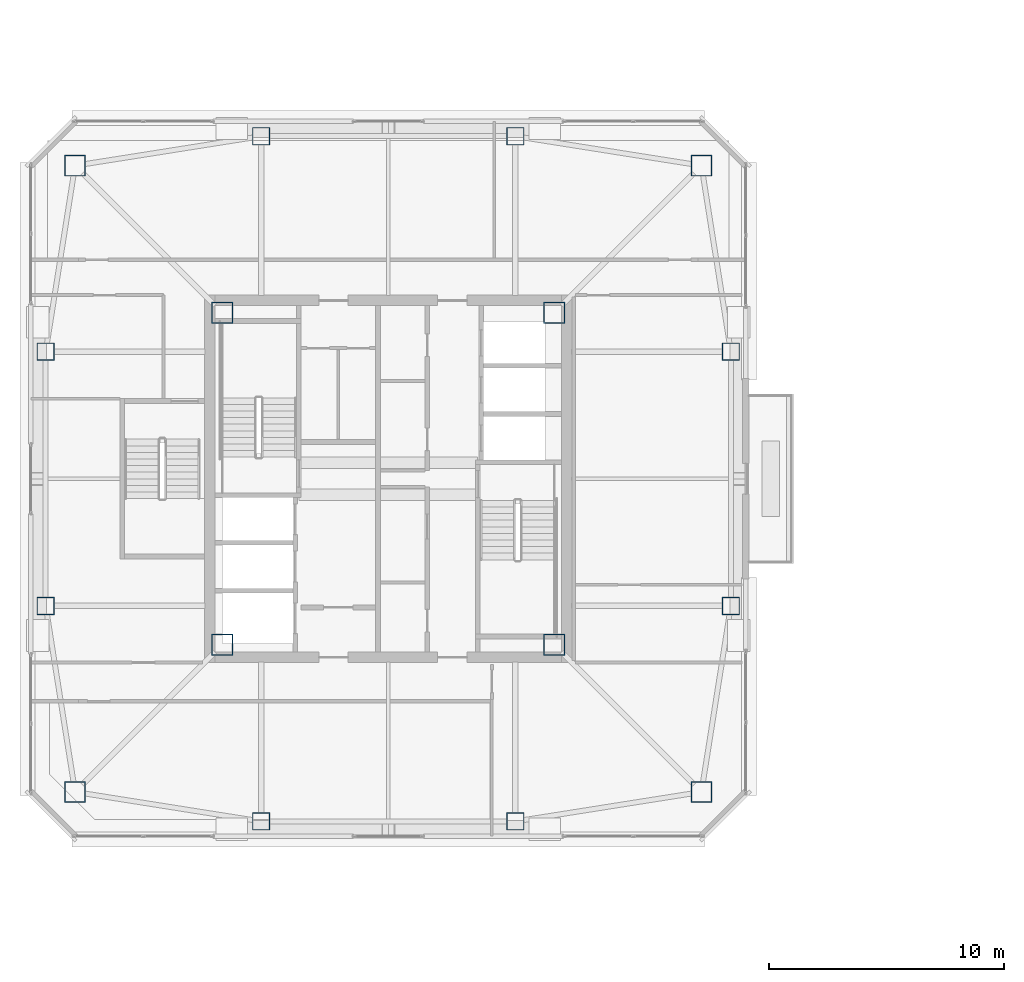
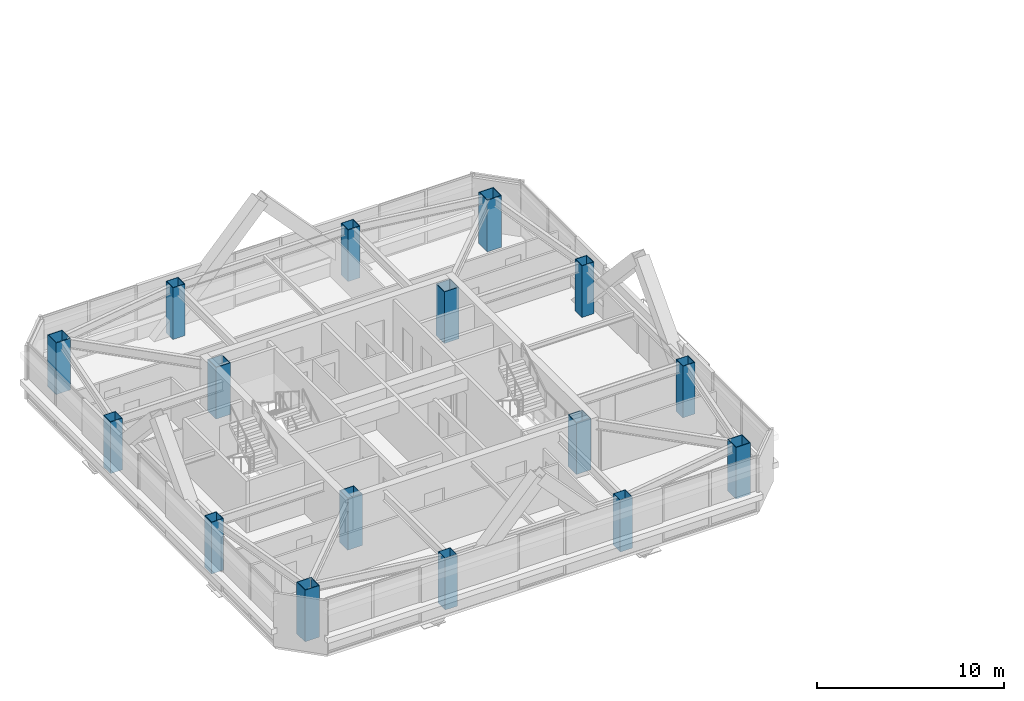
# One storey, part 1 of 24: 16 columns.
"""IFC4 building model written with IfcOpenShell, lengths in metres."""

from ifc_helpers import new_model, si_unit, direction, frame, origin, origin_2d, place, context, subcontext, project, spatial, hollow_rectangle, extrude, material, material_profile, profile_set, type_object, element, save


model = new_model("IFC4")

# Units and contexts
model_context = context("Model", 3, precision=1e-05, world=origin(), true_north=direction((0.0, 1.0)))
body_context = subcontext(model_context, "Body", "Model", "MODEL_VIEW")
ifc_project = project(units=[si_unit("LENGTHUNIT", "METRE"), si_unit("AREAUNIT", "SQUARE_METRE"), si_unit("VOLUMEUNIT", "CUBIC_METRE"), si_unit("PLANEANGLEUNIT", "RADIAN"), si_unit("MASSUNIT", "GRAM", prefix="KILO")], contexts=[model_context])

# Site, building, storey
site_placement = place(None, origin())
site = spatial("IfcSite", under=ifc_project, at=site_placement, CompositionType="ELEMENT")
building_placement = place(site_placement, origin())
building = spatial("IfcBuilding", under=site, at=building_placement, Name="Tashvorn Skyway Center", CompositionType="ELEMENT")
storey_placement = place(building_placement, frame((0.0, 0.0, 270.5)))
storey = spatial("IfcBuildingStorey", under=building, at=storey_placement, Name="L73", CompositionType="ELEMENT", Elevation=270.5)

# Columns
ifc_material = material(Name="Steel ASTM A572 Grade 50", Category="steel")
ifc_material_profile_1 = material_profile(ifc_material, hollow_rectangle(XDim=0.75, YDim=0.75, WallThickness=0.031982421875, at=origin_2d()), Name="BOX750x750x32")
ifc_profile_set_1 = profile_set([ifc_material_profile_1], Name="Steel ASTM A572 Grade 50")
column_type_1 = type_object("IfcColumnType", Name="COL-BOX750x750x32", PredefinedType="COLUMN", material=ifc_profile_set_1)
for number, where, z_axis, x_axis, name in (
    (1, (36.60009765625, 17.449951171875, 0.0), (0.0, 0.0, 1.0), (1.0, 0.0, 0.0), "Tower 1 L73 Perimeter Column FC-S1"),
    (2, (47.39990234375, 17.449951171875, 0.0), (0.0, 0.0, 1.0), (1.0, 0.0, 0.0), "Tower 1 L73 Perimeter Column FC-S2"),
    (3, (56.550048828125, 26.60009765625, 0.0), (0.0, 0.0, 1.0), (1.0, 0.0, 0.0), "Tower 1 L73 Perimeter Column FC-E1"),
    (4, (56.550048828125, 37.39990234375, 0.0), (0.0, 0.0, 1.0), (1.0, 0.0, 0.0), "Tower 1 L73 Perimeter Column FC-E2"),
    (5, (47.39990234375, 46.550048828125, 0.0), (0.0, 0.0, 1.0), (1.0, 0.0, 0.0), "Tower 1 L73 Perimeter Column FC-N1"),
    (6, (36.60009765625, 46.550048828125, 0.0), (0.0, 0.0, 1.0), (1.0, 0.0, 0.0), "Tower 1 L73 Perimeter Column FC-N2"),
    (7, (27.449951171875, 37.39990234375, 0.0), (0.0, 0.0, 1.0), (1.0, 0.0, 0.0), "Tower 1 L73 Perimeter Column FC-W1"),
    (8, (27.449951171875, 26.60009765625, 0.0), (0.0, 0.0, 1.0), (1.0, 0.0, 0.0), "Tower 1 L73 Perimeter Column FC-W2"),
):
    element("IfcColumn", number, at=place(storey_placement, frame(where, z_axis=z_axis, x_axis=x_axis)), inside=storey, type_object=column_type_1, Name=name, PredefinedType="COLUMN", context=body_context, shape_type="SweptSolid", body=[
        extrude(hollow_rectangle(XDim=0.75, YDim=0.75, WallThickness=0.031982421875, at=origin_2d()), origin(), (0.0, 0.0, 1.0), 3.3701171875),
    ])
ifc_material_profile_2 = material_profile(ifc_material, hollow_rectangle(XDim=0.89990234375, YDim=0.89990234375, WallThickness=0.0400390625, at=origin_2d()), Name="BOX900x900x40")
ifc_profile_set_2 = profile_set([ifc_material_profile_2], Name="Steel ASTM A572 Grade 50")
column_type_2 = type_object("IfcColumnType", Name="COL-BOX900x900x40", PredefinedType="COLUMN", material=ifc_profile_set_2)
for number, where, z_axis, x_axis, name in (
    (9, (34.949951171875, 24.949951171875, 0.0), (0.0, 0.0, 1.0), (1.0, 0.0, 0.0), "Tower 1 L73 Core Corner Column CC-SW"),
    (10, (49.050048828125, 24.949951171875, 0.0), (0.0, 0.0, 1.0), (1.0, 0.0, 0.0), "Tower 1 L73 Core Corner Column CC-SE"),
    (11, (49.050048828125, 39.050048828125, 0.0), (0.0, 0.0, 1.0), (1.0, 0.0, 0.0), "Tower 1 L73 Core Corner Column CC-NE"),
    (12, (34.949951171875, 39.050048828125, 0.0), (0.0, 0.0, 1.0), (1.0, 0.0, 0.0), "Tower 1 L73 Core Corner Column CC-NW"),
    (13, (28.699951171875, 18.699951171875, 0.0), (0.0, 0.0, 1.0), (1.0, 0.0, 0.0), "Tower 1 L73 Mega-Column MC-SW"),
    (14, (55.300048828125, 18.699951171875, 0.0), (0.0, 0.0, 1.0), (1.0, 0.0, 0.0), "Tower 1 L73 Mega-Column MC-SE"),
    (15, (55.300048828125, 45.300048828125, 0.0), (0.0, 0.0, 1.0), (1.0, 0.0, 0.0), "Tower 1 L73 Mega-Column MC-NE"),
    (16, (28.699951171875, 45.300048828125, 0.0), (0.0, 0.0, 1.0), (1.0, 0.0, 0.0), "Tower 1 L73 Mega-Column MC-NW"),
):
    element("IfcColumn", number, at=place(storey_placement, frame(where, z_axis=z_axis, x_axis=x_axis)), inside=storey, type_object=column_type_2, Name=name, PredefinedType="COLUMN", context=body_context, shape_type="SweptSolid", body=[
        extrude(hollow_rectangle(XDim=0.89990234375, YDim=0.89990234375, WallThickness=0.0400390625, at=origin_2d()), origin(), (0.0, 0.0, 1.0), 3.3701171875),
    ])

save(model, "model.ifc")
